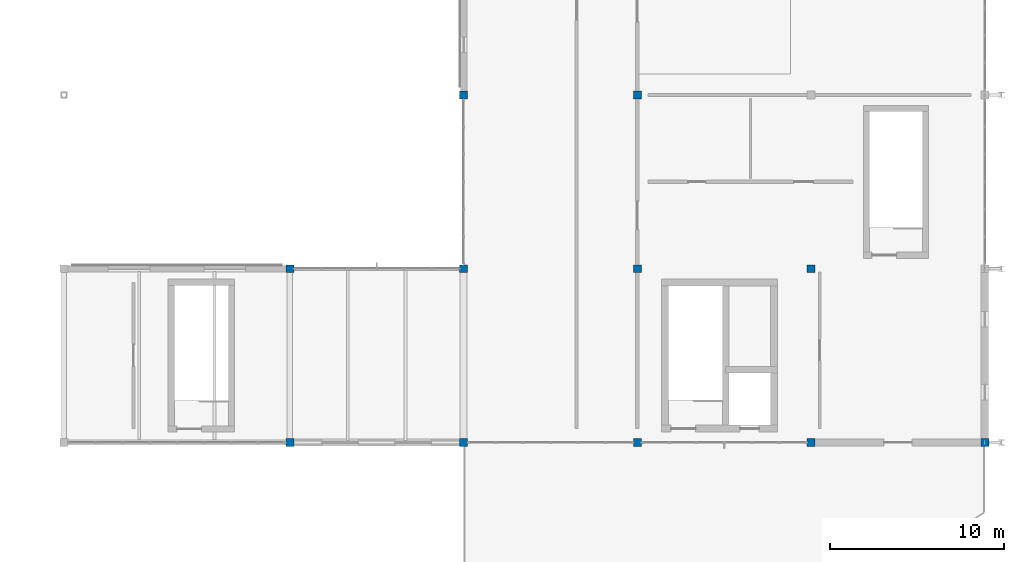
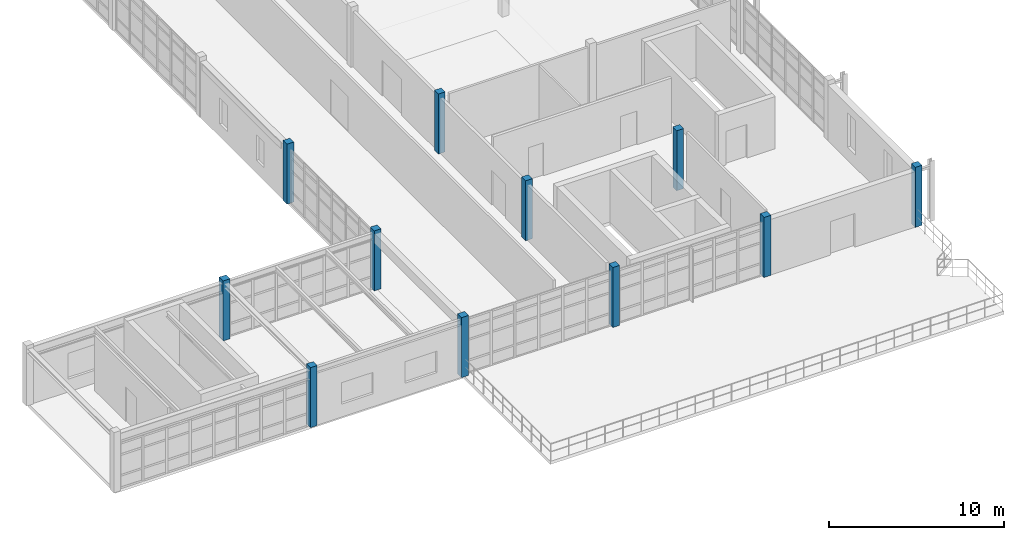
# One storey, part 15 of 122: 11 columns.
"""IFC4 building model written with IfcOpenShell, lengths in metres."""

from ifc_helpers import new_model, si_unit, direction, frame, origin, origin_2d, place, context, subcontext, project, spatial, rectangle, extrude, material, material_profile, profile_set, type_object, element, save


model = new_model("IFC4")

# Units and contexts
model_context = context("Model", 3, precision=1e-05, world=origin(), true_north=direction((0.0, 1.0)))
body_context = subcontext(model_context, "Body", "Model", "MODEL_VIEW")
ifc_project = project(units=[si_unit("LENGTHUNIT", "METRE"), si_unit("AREAUNIT", "SQUARE_METRE"), si_unit("VOLUMEUNIT", "CUBIC_METRE"), si_unit("PLANEANGLEUNIT", "RADIAN"), si_unit("MASSUNIT", "GRAM", prefix="KILO"), si_unit("THERMODYNAMICTEMPERATUREUNIT", "KELVIN"), si_unit("POWERUNIT", "WATT")], contexts=[model_context])

# Site, building, storey
site_placement = place(None, origin())
site = spatial("IfcSite", under=ifc_project, at=site_placement, CompositionType="ELEMENT")
building_placement = place(site_placement, origin())
building = spatial("IfcBuilding", under=site, at=building_placement, Name="Korenveer Ferry Terminal", CompositionType="ELEMENT")
storey_placement = place(building_placement, frame((0.0, 0.0, 10.199951171875)))
storey = spatial("IfcBuildingStorey", under=building, at=storey_placement, Name="L02", CompositionType="ELEMENT", Elevation=10.199951171875)

# Columns
ifc_material = material(Name="Concrete C45/55", Category="concrete")
ifc_material_profile = material_profile(ifc_material, rectangle(XDim=0.449951171875, YDim=0.449951171875, at=origin_2d()), Name="RC 450x450")
ifc_profile_set = profile_set([ifc_material_profile], Name="Concrete C45/55")
column_type = type_object("IfcColumnType", Name="STR-COL-RC450", PredefinedType="COLUMN", material=ifc_profile_set)
for number, where, z_axis, x_axis, name in (
    (1, (136.0, 20.0, 0.0), (0.0, 0.0, 1.0), (1.0, 0.0, 0.0), "Column COL-L02-X136-Y20"),
    (2, (136.0, 30.0, 0.0), (0.0, 0.0, 1.0), (1.0, 0.0, 0.0), "Column COL-L02-X136-Y30"),
    (3, (146.0, 20.0, 0.0), (0.0, 0.0, 1.0), (1.0, 0.0, 0.0), "Column COL-L02-X146-Y20"),
    (4, (146.0, 30.0, 0.0), (0.0, 0.0, 1.0), (1.0, 0.0, 0.0), "Column COL-L02-X146-Y30"),
    (5, (146.0, 40.0, 0.0), (0.0, 0.0, 1.0), (1.0, 0.0, 0.0), "Column COL-L02-X146-Y40"),
    (6, (156.0, 20.0, 0.0), (0.0, 0.0, 1.0), (1.0, 0.0, 0.0), "Column COL-L02-X156-Y20"),
    (7, (156.0, 30.0, 0.0), (0.0, 0.0, 1.0), (1.0, 0.0, 0.0), "Column COL-L02-X156-Y30"),
    (8, (156.0, 40.0, 0.0), (0.0, 0.0, 1.0), (1.0, 0.0, 0.0), "Column COL-L02-X156-Y40"),
    (9, (166.0, 20.0, 0.0), (0.0, 0.0, 1.0), (1.0, 0.0, 0.0), "Column COL-L02-X166-Y20"),
    (10, (166.0, 30.0, 0.0), (0.0, 0.0, 1.0), (1.0, 0.0, 0.0), "Column COL-L02-X166-Y30"),
    (11, (176.0, 20.0, 0.0), (0.0, 0.0, 1.0), (1.0, 0.0, 0.0), "Column COL-L02-X176-Y20"),
):
    element("IfcColumn", number, at=place(storey_placement, frame(where, z_axis=z_axis, x_axis=x_axis)), inside=storey, type_object=column_type, Name=name, PredefinedType="COLUMN", context=body_context, shape_type="SweptSolid", body=[
        extrude(rectangle(XDim=0.449951171875, YDim=0.449951171875, at=origin_2d()), origin(), (0.0, 0.0, 1.0), 4.199951171875),
    ])

save(model, "model.ifc")
